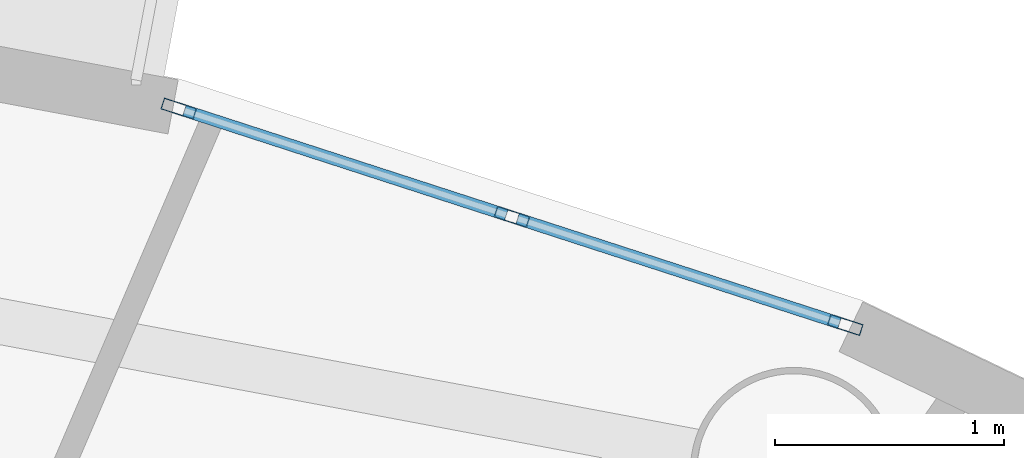
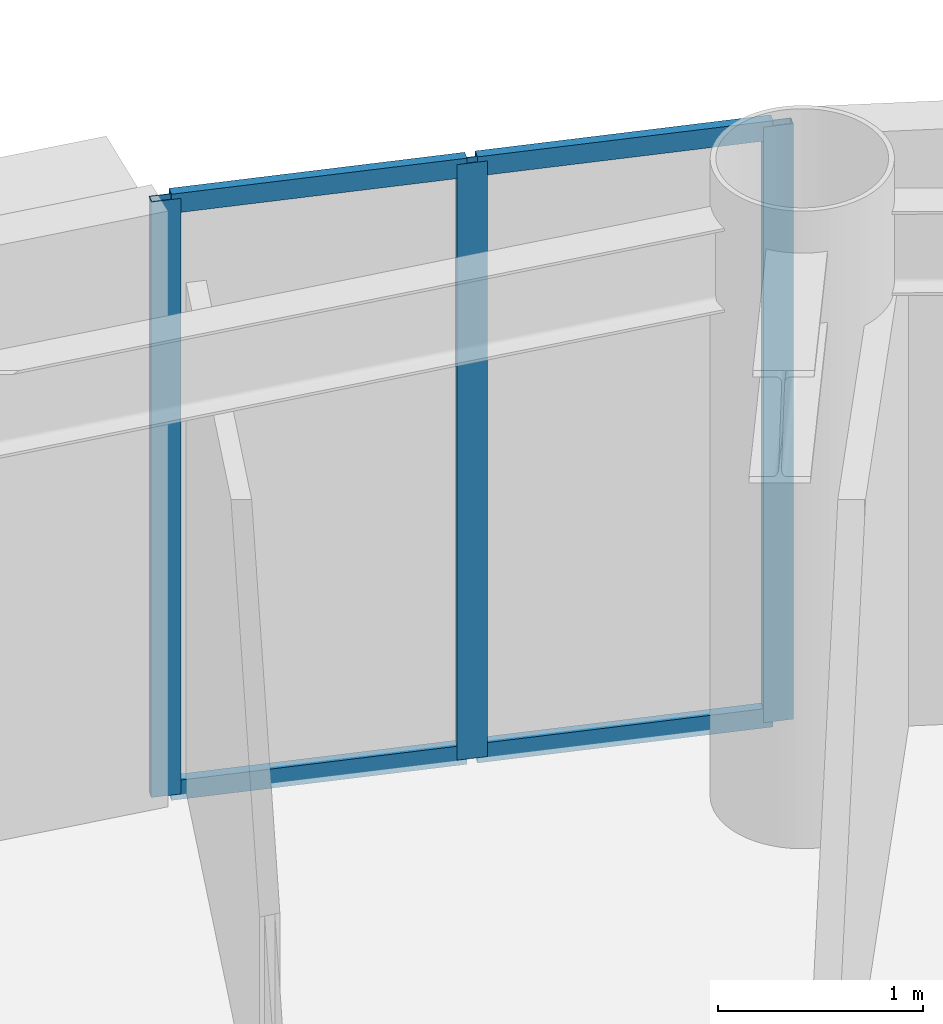
# One storey, part 3 of 17: 7 members, 1 element without a shape of its own.
"""IFC4 building model written with IfcOpenShell, lengths in metres."""

import ifcopenshell
import ifcopenshell.guid

model = None  # the IFC model being written
_history = None  # IfcOwnerHistory: only IFC2X3 demands one
_inside = {}  # id of a spatial element -> (the spatial element, [elements in it])
_under = {}  # id of a project, library or spatial element -> (it, [spatial elements below it])
_declared = {}  # id of a project -> (the project, [libraries it declares])
_typed = {}  # id of a type object -> (the type object, [elements of that type])
_made_of = {}  # id of a material, layer set ... -> (it, [elements and type objects made of it])


def new_model(schema):
    """Start an empty IFC model of exactly this schema.

    Asked for "IFC4X3", IfcOpenShell would pick the latest addendum, in which some entities
    have other attributes; the version numbers below select the first issue.
    IFC2X3 requires an IfcOwnerHistory on every rooted entity: one is made here for all.
    """
    global model, _history
    if schema == "IFC4X3":
        model = ifcopenshell.file(schema_version=(4, 3, 0, 0))
    else:
        model = ifcopenshell.file(schema=schema)
    _inside.clear()
    _under.clear()
    _declared.clear()
    _typed.clear()
    _made_of.clear()
    _history = None
    if model.schema == "IFC2X3":
        org = make("IfcOrganization", Name="unknown")
        user = make(
            "IfcPersonAndOrganization",
            ThePerson=make("IfcPerson", FamilyName="unknown"),
            TheOrganization=org,
        )
        app = make(
            "IfcApplication",
            ApplicationDeveloper=org,
            Version="unknown",
            ApplicationFullName="unknown",
            ApplicationIdentifier="unknown",
        )
        _history = make(
            "IfcOwnerHistory",
            OwningUser=user,
            OwningApplication=app,
            ChangeAction="ADDED",
            CreationDate=0,
        )
    return model


def make(cls, **values):
    """One entity of the class cls with the attributes given. An attribute that is None is left unset."""
    return model.create_entity(
        cls, **{name: value for name, value in values.items() if value is not None}
    )


def rooted(cls, **values):
    """An entity with a GlobalId (a new one), such as an element, a storey or a relation."""
    return make(cls, GlobalId=ifcopenshell.guid.new(), OwnerHistory=_history, **values)


def si_unit(unit_type, name, prefix=None):
    """IfcSIUnit, for example si_unit("LENGTHUNIT", "METRE", prefix="MILLI")."""
    return make("IfcSIUnit", UnitType=unit_type, Prefix=prefix, Name=name)


def assignment(units):
    """IfcUnitAssignment: the units of a project."""
    return None if units is None else make("IfcUnitAssignment", Units=units)


def point(xyz):
    """IfcCartesianPoint."""
    return None if xyz is None else make("IfcCartesianPoint", Coordinates=xyz)


def direction(xyz):
    """IfcDirection."""
    return None if xyz is None else make("IfcDirection", DirectionRatios=xyz)


def frame(location, z_axis=None, x_axis=None):
    """IfcAxis2Placement3D, a coordinate frame: its origin and axes. An axis left out is left unset."""
    return make(
        "IfcAxis2Placement3D",
        Location=point(location),
        Axis=direction(z_axis),
        RefDirection=direction(x_axis),
    )


def frame_2d(location, x_axis=None):
    """IfcAxis2Placement2D, a coordinate frame in the plane: its origin and x axis."""
    return make(
        "IfcAxis2Placement2D", Location=point(location), RefDirection=direction(x_axis)
    )


def origin():
    """The frame at (0, 0, 0) with its axes left unset."""
    return frame((0.0, 0.0, 0.0))


def origin_2d():
    """The frame at (0, 0) in the plane with its x axis left unset."""
    return frame_2d((0.0, 0.0))


def place(relative_to, where):
    """IfcLocalPlacement: puts the frame where relative to a parent placement (None: the world)."""
    return make(
        "IfcLocalPlacement", PlacementRelTo=relative_to, RelativePlacement=where
    )


def context(
    kind, dimensions, precision=None, world=None, true_north=None, identifier=None
):
    """IfcGeometricRepresentationContext, for example the 3D "Model" context."""
    return make(
        "IfcGeometricRepresentationContext",
        ContextIdentifier=identifier,
        ContextType=kind,
        CoordinateSpaceDimension=dimensions,
        Precision=precision,
        WorldCoordinateSystem=world,
        TrueNorth=true_north,
    )


def subcontext(parent, identifier, kind, view, scale=None):
    """IfcGeometricRepresentationSubContext, for example "Body" below "Model"."""
    return make(
        "IfcGeometricRepresentationSubContext",
        ContextIdentifier=identifier,
        ContextType=kind,
        ParentContext=parent,
        TargetScale=scale,
        TargetView=view,
    )


def project(units=None, contexts=None):
    """IfcProject with its units and contexts."""
    return rooted(
        "IfcProject",
        Name="project",
        RepresentationContexts=contexts,
        UnitsInContext=assignment(units),
    )


def spatial(cls, under=None, at=None, **own):
    """A site, building, storey or space (cls), placed at a placement, below another one or the project."""
    s = rooted(cls, ObjectPlacement=at, **own)
    if under is not None:
        _under.setdefault(under.id(), (under, []))[1].append(s)
    return s


def profile(cls, at=None, kind="AREA", **sizes):
    """A parametric profile (cls). Its sizes go by their IFC names, for example OverallWidth=200.0."""
    return make(cls, ProfileType=kind, Position=at, **sizes)


def hollow_rectangle(**sizes):
    """IfcRectangleHollowProfileDef."""
    return profile("IfcRectangleHollowProfileDef", **sizes)


def extrude(swept, where, along, depth):
    """IfcExtrudedAreaSolid: the profile swept, set in the frame where, extruded along a direction by depth."""
    return make(
        "IfcExtrudedAreaSolid",
        SweptArea=swept,
        Position=where,
        ExtrudedDirection=direction(along),
        Depth=depth,
    )


def shape(context_of_items, identifier, shape_type, items):
    """IfcShapeRepresentation: the items that make up one representation, for example the "Body"."""
    return make(
        "IfcShapeRepresentation",
        ContextOfItems=context_of_items,
        RepresentationIdentifier=identifier,
        RepresentationType=shape_type,
        Items=items,
    )


def source(mapping_origin, context_of_items, identifier, shape_type, items):
    """IfcRepresentationMap: a shape defined once, which mapped items show again and again."""
    return make(
        "IfcRepresentationMap",
        MappingOrigin=mapping_origin,
        MappedRepresentation=shape(context_of_items, identifier, shape_type, items),
    )


def transform(
    local_origin,
    x_axis=None,
    y_axis=None,
    z_axis=None,
    scale=None,
    scale2=None,
    scale3=None,
    uniform=True,
):
    """IfcCartesianTransformationOperator3D, or its non-uniform kind. x_axis, y_axis, z_axis: its Axis1, 2, 3."""
    if uniform:
        return make(
            "IfcCartesianTransformationOperator3D",
            Axis1=direction(x_axis),
            Axis2=direction(y_axis),
            LocalOrigin=point(local_origin),
            Scale=scale,
            Axis3=direction(z_axis),
        )
    return make(
        "IfcCartesianTransformationOperator3DnonUniform",
        Axis1=direction(x_axis),
        Axis2=direction(y_axis),
        LocalOrigin=point(local_origin),
        Scale=scale,
        Axis3=direction(z_axis),
        Scale2=scale2,
        Scale3=scale3,
    )


def mapped(mapping_source, mapping_target):
    """IfcMappedItem: shows the shape of a source again, moved by a transform."""
    return make(
        "IfcMappedItem", MappingSource=mapping_source, MappingTarget=mapping_target
    )


def material(Name=None, Category=None):
    """IfcMaterial."""
    return make("IfcMaterial", Name=Name, Category=Category)


def layer(
    of_material, thickness, ventilated=None, Name=None, Category=None, Priority=None
):
    """IfcMaterialLayer: one layer of a wall or slab, of a material (None: an air gap)."""
    return make(
        "IfcMaterialLayer",
        Material=of_material,
        LayerThickness=thickness,
        IsVentilated=ventilated,
        Name=Name,
        Category=Category,
        Priority=Priority,
    )


def layer_set(layers, Name=None):
    """IfcMaterialLayerSet."""
    return make("IfcMaterialLayerSet", MaterialLayers=layers, LayerSetName=Name)


def material_profile(
    of_material, cross_section, Name=None, Category=None, Priority=None
):
    """IfcMaterialProfile: a cross section and its material."""
    return make(
        "IfcMaterialProfile",
        Name=Name,
        Material=of_material,
        Profile=cross_section,
        Priority=Priority,
        Category=Category,
    )


def profile_set(profiles, Name=None, composite=None):
    """IfcMaterialProfileSet."""
    return make(
        "IfcMaterialProfileSet",
        Name=Name,
        MaterialProfiles=profiles,
        CompositeProfile=composite,
    )


def made_of(thing, what):
    """Note that an element or type object is made of a material, layer set ...; save() writes the relation."""
    if what is not None:
        _made_of.setdefault(what.id(), (what, []))[1].append(thing)
    return thing


def type_object(cls, material=None, **own):
    """A type object (cls), such as IfcWallType, which elements share."""
    return made_of(rooted(cls, **own), material)


def element(
    cls,
    number,
    at=None,
    inside=None,
    cuts=None,
    type_object=None,
    material=None,
    context=None,
    identifier="Body",
    shape_type=None,
    held_by="IfcProductDefinitionShape",
    body=None,
    shapes=None,
    **own,
):
    """One element of the class cls, such as IfcWall. Its Tag is "e" and its number.

    at: its placement. inside: the storey or other place that contains it. cuts: it is an
    opening in that element (IfcRelVoidsElement). A single representation is given by context,
    identifier, shape_type and body (its items); several are given by shapes. held_by: the class
    of the entity that holds the representations. save() writes the other relations.
    """
    e = rooted(cls, Tag="e%d" % number, ObjectPlacement=at, **own)
    if body is not None:
        shapes = [shape(context, identifier, shape_type, body)]
    if shapes is not None:
        e.Representation = make(held_by, Representations=shapes)
    if inside is not None:
        _inside.setdefault(inside.id(), (inside, []))[1].append(e)
    if cuts is not None:
        rooted(
            "IfcRelVoidsElement", RelatingBuildingElement=cuts, RelatedOpeningElement=e
        )
    if type_object is not None:
        _typed.setdefault(type_object.id(), (type_object, []))[1].append(e)
    return made_of(e, material)


def aggregate(whole, parts):
    """IfcRelAggregates: a whole, such as a stair, and the parts it consists of."""
    return rooted("IfcRelAggregates", RelatingObject=whole, RelatedObjects=parts)


def save(model, path):
    """Write the relations noted so far, then the file.

    IfcRelAggregates (storeys below a building ...), IfcRelContainedInSpatialStructure (elements
    in a storey), IfcRelDefinesByType, IfcRelAssociatesMaterial and IfcRelDeclares: one each for
    every whole, place, type object, material and project.
    """
    for whole, parts in _under.values():
        aggregate(whole, parts)
    for where, things in _inside.values():
        rooted(
            "IfcRelContainedInSpatialStructure",
            RelatedElements=things,
            RelatingStructure=where,
        )
    for kind, things in _typed.values():
        rooted("IfcRelDefinesByType", RelatedObjects=things, RelatingType=kind)
    for what, things in _made_of.values():
        rooted("IfcRelAssociatesMaterial", RelatedObjects=things, RelatingMaterial=what)
    for by, libraries in _declared.values():
        rooted("IfcRelDeclares", RelatingContext=by, RelatedDefinitions=libraries)
    model.write(path)


model = new_model("IFC4")

# Units and contexts
model_context = context("Model", 3, precision=1e-05, world=origin(), true_north=direction((0.0, 1.0)))
body_context = subcontext(model_context, "Body", "Model", "MODEL_VIEW")
ifc_project = project(units=[si_unit("LENGTHUNIT", "METRE"), si_unit("AREAUNIT", "SQUARE_METRE"), si_unit("VOLUMEUNIT", "CUBIC_METRE"), si_unit("PLANEANGLEUNIT", "RADIAN"), si_unit("MASSUNIT", "GRAM", prefix="KILO")], contexts=[model_context])

# Site, building, storey
site_placement = place(None, origin())
site = spatial("IfcSite", under=ifc_project, at=site_placement, CompositionType="ELEMENT")
building_placement = place(site_placement, origin())
building = spatial("IfcBuilding", under=site, at=building_placement, Name="Linh Dai School and Residence Tower", CompositionType="ELEMENT")
storey_placement = place(building_placement, frame((0.0, 0.0, 327.800048828125)))
storey = spatial("IfcBuildingStorey", under=building, at=storey_placement, Name="L81", CompositionType="ELEMENT", Elevation=327.800048828125)

# Curtain wall, members
ifc_material_1 = material(Name="Aluminium Anodised Curtain Wall", Category="aluminium")
ifc_layer = layer(ifc_material_1, 0.14990234375)
ifc_layer_set = layer_set([ifc_layer], Name="Aluminium Anodised Curtain Wall")
curtain_wall_type = type_object("IfcCurtainWallType", Name="CW-SYS-4", PredefinedType="USERDEFINED", material=ifc_layer_set)
curtain_wall_placement = place(storey_placement, origin())
curtain_wall = element("IfcCurtainWall", 1, at=curtain_wall_placement, inside=storey, type_object=curtain_wall_type, Name="L81 CW4 Curtain Wall 08", ObjectType="RIBBON CURTAIN WALL", PredefinedType="USERDEFINED")
ifc_material_2 = material(Name="Aluminium Alloy 6063-T6", Category="aluminium")
ifc_material_profile_1 = material_profile(ifc_material_2, hollow_rectangle(XDim=0.052001953125, YDim=0.14990234375, WallThickness=0.00390625, at=origin_2d()), Name="RHS 150x52x4")
ifc_profile_set_1 = profile_set([ifc_material_profile_1], Name="Aluminium Alloy 6063-T6")
member_type_1 = type_object("IfcMemberType", Name="CW-SYS-4-MUL", PredefinedType="MULLION", material=ifc_profile_set_1)
shared_shape_1 = source(origin(), body_context, "Body", "SweptSolid", [
    extrude(hollow_rectangle(XDim=0.052001953125, YDim=0.14990234375, WallThickness=0.00390625, at=origin_2d()), origin(), (0.0, 0.0, 1.0), 3.550048828125),
])
member_1_placement = place(storey_placement, frame((42.328857421875, 42.14013671875, 0.0), z_axis=(0.0, 0.0, 1.0), x_axis=(0.30856528097, 0.951203168298, 0.0)))
member_1 = element("IfcMember", 2, at=member_1_placement, type_object=member_type_1, Name="CW4 mullion 1", PredefinedType="MULLION", context=body_context, shape_type="MappedRepresentation", body=[
    mapped(shared_shape_1, transform((0.0, 0.0, 0.0), x_axis=(1.0, 0.0, 0.0), y_axis=(0.0, 1.0, 0.0), z_axis=(0.0, 0.0, 1.0), scale=1.0)),
])
member_2_placement = place(storey_placement, frame((43.7822265625, 41.66845703125, 0.0), z_axis=(0.0, 0.0, 1.0), x_axis=(0.30856528097, 0.951203168298, 0.0)))
member_2 = element("IfcMember", 3, at=member_2_placement, type_object=member_type_1, Name="CW4 mullion 2", PredefinedType="MULLION", context=body_context, shape_type="MappedRepresentation", body=[
    mapped(shared_shape_1, transform((0.0, 0.0, 0.0), x_axis=(1.0, 0.0, 0.0), y_axis=(0.0, 1.0, 0.0), z_axis=(0.0, 0.0, 1.0), scale=1.0)),
])
member_3_placement = place(storey_placement, frame((45.23583984375, 41.197021484375, 0.0), z_axis=(0.0, 0.0, 1.0), x_axis=(0.30856528097, 0.951203168298, 0.0)))
member_3 = element("IfcMember", 4, at=member_3_placement, type_object=member_type_1, Name="CW4 mullion 3", PredefinedType="MULLION", context=body_context, shape_type="MappedRepresentation", body=[
    mapped(shared_shape_1, transform((0.0, 0.0, 0.0), x_axis=(1.0, 0.0, 0.0), y_axis=(0.0, 1.0, 0.0), z_axis=(0.0, 0.0, 1.0), scale=1.0)),
])
ifc_material_profile_2 = material_profile(ifc_material_2, hollow_rectangle(XDim=0.052001953125, YDim=0.114990234375, WallThickness=0.00390625, at=origin_2d()), Name="RHS 115x52x4")
ifc_profile_set_2 = profile_set([ifc_material_profile_2], Name="Aluminium Alloy 6063-T6")
member_type_2 = type_object("IfcMemberType", Name="CW-SYS-4-TRN", PredefinedType="USERDEFINED", material=ifc_profile_set_2)
shared_shape_2 = source(origin(), body_context, "Body", "SweptSolid", [
    extrude(hollow_rectangle(XDim=0.052001953125, YDim=0.114990234375, WallThickness=0.00390625, at=origin_2d()), origin(), (0.0, 0.0, 1.0), 1.47607421875),
])
member_4_placement = place(storey_placement, frame((42.353515625, 42.132080078125, 0.02587890625), z_axis=(0.951183457607, -0.308626035802, 0.0), x_axis=(0.308626035802, 0.951183457607, 0.0)))
member_4 = element("IfcMember", 5, at=member_4_placement, type_object=member_type_2, Name="CW4 transom 1.1", ObjectType="TRANSOM", PredefinedType="USERDEFINED", context=body_context, shape_type="MappedRepresentation", body=[
    mapped(shared_shape_2, transform((0.0, 0.0, 0.0), x_axis=(1.0, 0.0, 0.0), y_axis=(0.0, 1.0, 0.0), z_axis=(0.0, 0.0, 1.0), scale=1.0)),
])
member_5_placement = place(storey_placement, frame((42.353515625, 42.132080078125, 3.52392578125), z_axis=(0.951183457607, -0.308626035802, 0.0), x_axis=(0.308626035802, 0.951183457607, 0.0)))
member_5 = element("IfcMember", 6, at=member_5_placement, type_object=member_type_2, Name="CW4 transom 1.2", ObjectType="TRANSOM", PredefinedType="USERDEFINED", context=body_context, shape_type="MappedRepresentation", body=[
    mapped(shared_shape_2, transform((0.0, 0.0, 0.0), x_axis=(1.0, 0.0, 0.0), y_axis=(0.0, 1.0, 0.0), z_axis=(0.0, 0.0, 1.0), scale=1.0)),
])
member_6_placement = place(storey_placement, frame((43.806884765625, 41.660400390625, 0.02587890625), z_axis=(0.951232001503, -0.308476383725, 0.0), x_axis=(0.308476383725, 0.951232001503, 0.0)))
member_6 = element("IfcMember", 7, at=member_6_placement, type_object=member_type_2, Name="CW4 transom 2.1", ObjectType="TRANSOM", PredefinedType="USERDEFINED", context=body_context, shape_type="MappedRepresentation", body=[
    mapped(shared_shape_2, transform((0.0, 0.0, 0.0), x_axis=(1.0, 0.0, 0.0), y_axis=(0.0, 1.0, 0.0), z_axis=(0.0, 0.0, 1.0), scale=1.0)),
])
member_7_placement = place(storey_placement, frame((43.806884765625, 41.660400390625, 3.52392578125), z_axis=(0.951232001503, -0.308476383725, 0.0), x_axis=(0.308476383725, 0.951232001503, 0.0)))
member_7 = element("IfcMember", 8, at=member_7_placement, type_object=member_type_2, Name="CW4 transom 2.2", ObjectType="TRANSOM", PredefinedType="USERDEFINED", context=body_context, shape_type="MappedRepresentation", body=[
    mapped(shared_shape_2, transform((0.0, 0.0, 0.0), x_axis=(1.0, 0.0, 0.0), y_axis=(0.0, 1.0, 0.0), z_axis=(0.0, 0.0, 1.0), scale=1.0)),
])
aggregate(curtain_wall, [member_1, member_2, member_3, member_4, member_5, member_6, member_7])

save(model, "model.ifc")
